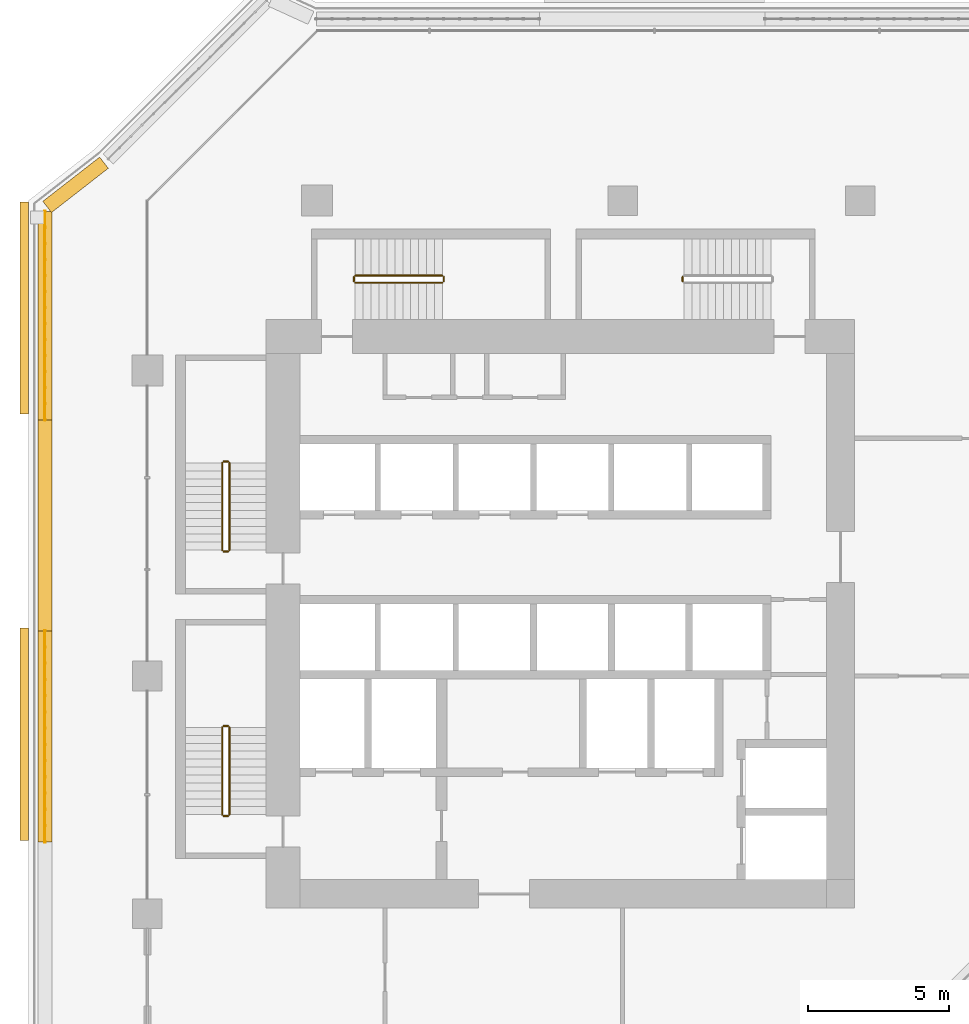
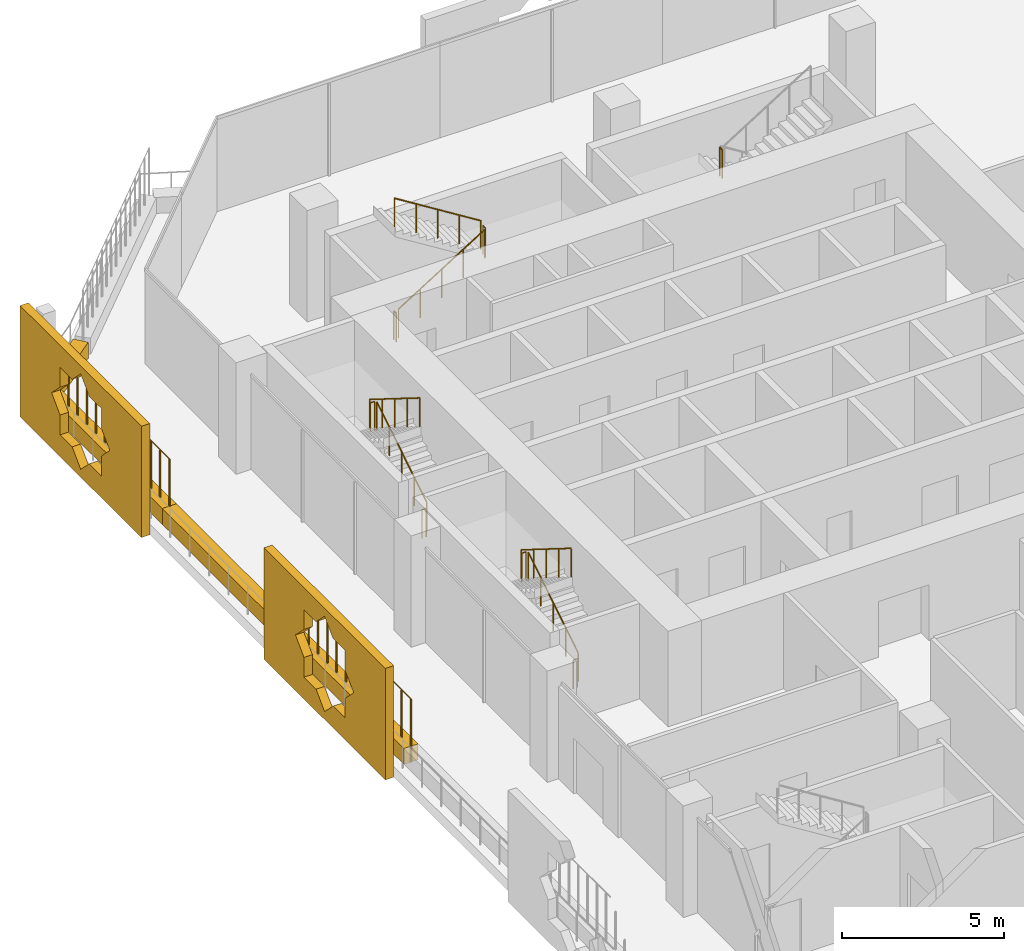
# One storey, part 21 of 26: 15 railings, 6 coverings.
"""IFC4 building model written with IfcOpenShell, lengths in metres."""

from ifc_helpers import new_model, si_unit, direction, frame, origin, origin_2d, place, context, subcontext, project, spatial, polyline, rectangle, circle, outline, extrude, material, material_profile, profile_set, type_object, element, save


model = new_model("IFC4")

# Units and contexts
model_context = context("Model", 3, precision=1e-05, world=origin(), true_north=direction((0.0, 1.0)))
body_context = subcontext(model_context, "Body", "Model", "MODEL_VIEW")
ifc_project = project(units=[si_unit("LENGTHUNIT", "METRE"), si_unit("AREAUNIT", "SQUARE_METRE"), si_unit("VOLUMEUNIT", "CUBIC_METRE"), si_unit("PLANEANGLEUNIT", "RADIAN"), si_unit("MASSUNIT", "GRAM", prefix="KILO")], contexts=[model_context])

# Site, building, storey
site_placement = place(None, origin())
site = spatial("IfcSite", under=ifc_project, at=site_placement, CompositionType="ELEMENT")
building_placement = place(site_placement, origin())
building = spatial("IfcBuilding", under=site, at=building_placement, Name="Kawkab Arch Medical Tower", CompositionType="ELEMENT")
storey_placement = place(building_placement, frame((0.0, 0.0, 119.800048828125)))
storey = spatial("IfcBuildingStorey", under=building, at=storey_placement, Name="L27", CompositionType="ELEMENT", Elevation=119.800048828125)

# Coverings
ifc_material_1 = material(Name="Bronze anodised aluminium mashrabiya panel, eight-point star pattern", Category="aluminium")
ifc_material_profile_1 = material_profile(ifc_material_1, outline(polyline([(-3.75, -2.10009765625), (3.75, -2.10009765625), (3.75, 2.10009765625), (-3.75, 2.10009765625), (-3.75, -2.10009765625)]), holes=[polyline([(1.800048828125, 0.0), (1.272705078125, 0.527099609375), (1.272705078125, 1.272705078125), (0.527099609375, 1.272705078125), (0.0, 1.800048828125), (-0.527099609375, 1.272705078125), (-1.272705078125, 1.272705078125), (-1.272705078125, 0.527099609375), (-1.800048828125, 0.0), (-1.272705078125, -0.527099609375), (-1.272705078125, -1.272705078125), (-0.527099609375, -1.272705078125), (0.0, -1.800048828125), (0.527099609375, -1.272705078125), (1.272705078125, -1.272705078125), (1.272705078125, -0.527099609375), (1.800048828125, 0.0)])]), Name="Mashrabiya panel 7500x4200")
ifc_profile_set_1 = profile_set([ifc_material_profile_1], Name="Bronze anodised aluminium mashrabiya panel, eight-point star pattern")
covering_type_1 = type_object("IfcCoveringType", Name="Mashrabiya panel 7500 x 4200", PredefinedType="USERDEFINED", material=ifc_profile_set_1)
for number, where, z_axis, x_axis, name in (
    (1, (-4.199951171875, -18.8583984375, 1.699951171875), (-1.0, 0.0, 0.0), (0.0, -1.0, 0.0), "Mashrabiya panel L27.LOG-01-01.4"),
    (2, (-4.199951171875, -3.795654296875, 1.699951171875), (-1.0, 0.0, 0.0), (0.0, -1.0, 0.0), "Mashrabiya panel L27.LOG-01-01.5"),
):
    element("IfcCovering", number, at=place(storey_placement, frame(where, z_axis=z_axis, x_axis=x_axis)), inside=storey, type_object=covering_type_1, Name=name, ObjectType="SCREEN", PredefinedType="USERDEFINED", context=body_context, shape_type="SweptSolid", body=[
        extrude(outline(polyline([(-3.75, -2.10009765625), (3.75, -2.10009765625), (3.75, 2.10009765625), (-3.75, 2.10009765625), (-3.75, -2.10009765625)]), holes=[polyline([(1.800048828125, 0.0), (1.272705078125, 0.527099609375), (1.272705078125, 1.272705078125), (0.527099609375, 1.272705078125), (0.0, 1.800048828125), (-0.527099609375, 1.272705078125), (-1.272705078125, 1.272705078125), (-1.272705078125, 0.527099609375), (-1.800048828125, 0.0), (-1.272705078125, -0.527099609375), (-1.272705078125, -1.272705078125), (-0.527099609375, -1.272705078125), (0.0, -1.800048828125), (0.527099609375, -1.272705078125), (1.272705078125, -1.272705078125), (1.272705078125, -0.527099609375), (1.800048828125, 0.0)])]), origin(), (0.0, 0.0, 1.0), 0.300048828125),
    ])
ifc_material_2 = material(Name="Planting soil in a precast trough", Category="concrete")
ifc_material_profile_2 = material_profile(ifc_material_2, rectangle(XDim=0.5, YDim=0.60009765625, at=origin_2d()), Name="Trough 500x600")
ifc_profile_set_2 = profile_set([ifc_material_profile_2], Name="Planting soil in a precast trough")
covering_type_2 = type_object("IfcCoveringType", Name="Planter trough 500 x 600", PredefinedType="USERDEFINED", material=ifc_profile_set_2)
for number, where, z_axis, x_axis, name in (
    (3, (-3.6201171875, -22.6689453125, 0.300048828125), (0.0, 1.0, 0.0), (-1.0, 0.0, 0.0), "Planter L27.LOG-01-01.11"),
    (4, (-3.6201171875, -15.20703125, 0.300048828125), (0.0, 1.0, 0.0), (-1.0, 0.0, 0.0), "Planter L27.LOG-01-01.12"),
):
    element("IfcCovering", number, at=place(storey_placement, frame(where, z_axis=z_axis, x_axis=x_axis)), inside=storey, type_object=covering_type_2, Name=name, ObjectType="PLANTER", PredefinedType="USERDEFINED", context=body_context, shape_type="SweptSolid", body=[
        extrude(rectangle(XDim=0.5, YDim=0.60009765625, at=origin_2d()), origin(), (0.0, 0.0, 1.0), 7.4619140625),
    ])
covering_1_placement = place(storey_placement, frame((-3.6201171875, -7.7451171875, 0.300048828125), z_axis=(0.0, 1.0, 0.0), x_axis=(-1.0, 0.0, 0.0)))
element("IfcCovering", 5, at=covering_1_placement, inside=storey, type_object=covering_type_2, Name="Planter L27.LOG-01-01.13", ObjectType="PLANTER", PredefinedType="USERDEFINED", context=body_context, shape_type="SweptSolid", body=[
    extrude(rectangle(XDim=0.5, YDim=0.60009765625, at=origin_2d()), origin(), (0.0, 0.0, 1.0), 7.361083984375),
])
covering_2_placement = place(storey_placement, frame((-3.541015625, -0.221923828125, 0.300048828125), z_axis=(0.789274742246, 0.61404021143, 0.0), x_axis=(-0.61404021143, 0.789274742246, 0.0)))
element("IfcCovering", 6, at=covering_2_placement, inside=storey, type_object=covering_type_2, Name="Planter L27.LOG-01-01.14", ObjectType="PLANTER", PredefinedType="USERDEFINED", context=body_context, shape_type="SweptSolid", body=[
    extrude(rectangle(XDim=0.5, YDim=0.60009765625, at=origin_2d()), origin(), (0.0, 0.0, 1.0), 2.54541015625),
])

# Railings
ifc_material_3 = material(Name="Bronze anodised aluminium trellis for climbing plants", Category="aluminium")
railing_type_1 = type_object("IfcRailingType", Name="Planting trellis 2400", PredefinedType="USERDEFINED", material=ifc_material_3)
railing_1_placement = place(storey_placement, frame((-3.6201171875, -22.6689453125, 0.0)))
element("IfcRailing", 7, at=railing_1_placement, inside=storey, type_object=railing_type_1, Name="Planting trellis L27.LOG-01-01.11", ObjectType="TRELLIS", PredefinedType="USERDEFINED", context=body_context, shape_type="SweptSolid", body=[
    extrude(circle(Radius=0.01513671875, at=origin_2d()), frame((0.0, 0.0, 2.384765625), z_axis=(0.0, 1.0, 0.0), x_axis=(-1.0, 0.0, 0.0)), (0.0, 0.0, 1.0), 7.4619140625),
    extrude(circle(Radius=0.030029296875, at=origin_2d()), origin(), (0.0, 0.0, 1.0), 2.369873046875),
    extrude(circle(Radius=0.030029296875, at=origin_2d()), frame((0.0, 0.573974609375, 0.0)), (0.0, 0.0, 1.0), 2.369873046875),
    extrude(circle(Radius=0.030029296875, at=origin_2d()), frame((0.0, 1.14794921875, 0.0)), (0.0, 0.0, 1.0), 2.369873046875),
    extrude(circle(Radius=0.030029296875, at=origin_2d()), frame((0.0, 1.721923828125, 0.0)), (0.0, 0.0, 1.0), 2.369873046875),
    extrude(circle(Radius=0.030029296875, at=origin_2d()), frame((0.0, 2.2958984375, 0.0)), (0.0, 0.0, 1.0), 2.369873046875),
    extrude(circle(Radius=0.030029296875, at=origin_2d()), frame((0.0, 2.869873046875, 0.0)), (0.0, 0.0, 1.0), 2.369873046875),
    extrude(circle(Radius=0.030029296875, at=origin_2d()), frame((0.0, 3.44384765625, 0.0)), (0.0, 0.0, 1.0), 2.369873046875),
    extrude(circle(Radius=0.030029296875, at=origin_2d()), frame((0.0, 4.01806640625, 0.0)), (0.0, 0.0, 1.0), 2.369873046875),
    extrude(circle(Radius=0.030029296875, at=origin_2d()), frame((0.0, 4.592041015625, 0.0)), (0.0, 0.0, 1.0), 2.369873046875),
    extrude(circle(Radius=0.030029296875, at=origin_2d()), frame((0.0, 5.166015625, 0.0)), (0.0, 0.0, 1.0), 2.369873046875),
    extrude(circle(Radius=0.030029296875, at=origin_2d()), frame((0.0, 5.739990234375, 0.0)), (0.0, 0.0, 1.0), 2.369873046875),
    extrude(circle(Radius=0.030029296875, at=origin_2d()), frame((0.0, 6.31396484375, 0.0)), (0.0, 0.0, 1.0), 2.369873046875),
    extrude(circle(Radius=0.030029296875, at=origin_2d()), frame((0.0, 6.887939453125, 0.0)), (0.0, 0.0, 1.0), 2.369873046875),
    extrude(circle(Radius=0.030029296875, at=origin_2d()), frame((0.0, 7.4619140625, 0.0)), (0.0, 0.0, 1.0), 2.369873046875),
])
railing_2_placement = place(storey_placement, frame((-3.6201171875, -7.7451171875, 0.0)))
element("IfcRailing", 8, at=railing_2_placement, inside=storey, type_object=railing_type_1, Name="Planting trellis L27.LOG-01-01.13", ObjectType="TRELLIS", PredefinedType="USERDEFINED", context=body_context, shape_type="SweptSolid", body=[
    extrude(circle(Radius=0.01513671875, at=origin_2d()), frame((0.0, 0.0, 2.384765625), z_axis=(0.0, 1.0, 0.0), x_axis=(-1.0, 0.0, 0.0)), (0.0, 0.0, 1.0), 7.361083984375),
    extrude(circle(Radius=0.030029296875, at=origin_2d()), origin(), (0.0, 0.0, 1.0), 2.369873046875),
    extrude(circle(Radius=0.030029296875, at=origin_2d()), frame((0.0, 0.566162109375, 0.0)), (0.0, 0.0, 1.0), 2.369873046875),
    extrude(circle(Radius=0.030029296875, at=origin_2d()), frame((0.0, 1.132568359375, 0.0)), (0.0, 0.0, 1.0), 2.369873046875),
    extrude(circle(Radius=0.030029296875, at=origin_2d()), frame((0.0, 1.69873046875, 0.0)), (0.0, 0.0, 1.0), 2.369873046875),
    extrude(circle(Radius=0.030029296875, at=origin_2d()), frame((0.0, 2.264892578125, 0.0)), (0.0, 0.0, 1.0), 2.369873046875),
    extrude(circle(Radius=0.030029296875, at=origin_2d()), frame((0.0, 2.831298828125, 0.0)), (0.0, 0.0, 1.0), 2.369873046875),
    extrude(circle(Radius=0.030029296875, at=origin_2d()), frame((0.0, 3.3974609375, 0.0)), (0.0, 0.0, 1.0), 2.369873046875),
    extrude(circle(Radius=0.030029296875, at=origin_2d()), frame((0.0, 3.963623046875, 0.0)), (0.0, 0.0, 1.0), 2.369873046875),
    extrude(circle(Radius=0.030029296875, at=origin_2d()), frame((0.0, 4.52978515625, 0.0)), (0.0, 0.0, 1.0), 2.369873046875),
    extrude(circle(Radius=0.030029296875, at=origin_2d()), frame((0.0, 5.09619140625, 0.0)), (0.0, 0.0, 1.0), 2.369873046875),
    extrude(circle(Radius=0.030029296875, at=origin_2d()), frame((0.0, 5.662353515625, 0.0)), (0.0, 0.0, 1.0), 2.369873046875),
    extrude(circle(Radius=0.030029296875, at=origin_2d()), frame((0.0, 6.228515625, 0.0)), (0.0, 0.0, 1.0), 2.369873046875),
    extrude(circle(Radius=0.030029296875, at=origin_2d()), frame((0.0, 6.794921875, 0.0)), (0.0, 0.0, 1.0), 2.369873046875),
    extrude(circle(Radius=0.030029296875, at=origin_2d()), frame((0.0, 7.361083984375, 0.0)), (0.0, 0.0, 1.0), 2.369873046875),
])
ifc_material_4 = material(Name="Stainless steel", Category="steel")
railing_type_2 = type_object("IfcRailingType", Name="Stair guard 1100", PredefinedType="GUARDRAIL", material=ifc_material_4)
railing_3_placement = place(storey_placement, frame((2.89990234375, -12.35009765625, 0.175048828125)))
element("IfcRailing", 9, at=railing_3_placement, inside=storey, type_object=railing_type_2, Name="L27 ST1 stair guard 1", PredefinedType="GUARDRAIL", context=body_context, shape_type="SweptSolid", body=[
    extrude(circle(Radius=0.02392578125, at=origin_2d()), frame((0.0, 0.0, 1.076171875), z_axis=(0.0, 0.848028513186, 0.529950602248), x_axis=(-1.0, 0.0, 0.0)), (0.0, 0.0, 1.0), 3.632080078125),
    extrude(circle(Radius=0.02099609375, at=origin_2d()), origin(), (0.0, 0.0, 1.0), 1.052001953125),
    extrude(circle(Radius=0.02099609375, at=origin_2d()), frame((0.0, 0.77001953125, 0.481201171875)), (0.0, 0.0, 1.0), 1.052001953125),
    extrude(circle(Radius=0.02099609375, at=origin_2d()), frame((0.0, 1.5400390625, 0.96240234375)), (0.0, 0.0, 1.0), 1.052001953125),
    extrude(circle(Radius=0.02099609375, at=origin_2d()), frame((0.0, 2.31005859375, 1.443603515625)), (0.0, 0.0, 1.0), 1.052001953125),
    extrude(circle(Radius=0.02099609375, at=origin_2d()), frame((0.0, 3.080078125, 1.9248046875)), (0.0, 0.0, 1.0), 1.052001953125),
])
railing_4_placement = place(storey_placement, frame((2.85009765625, -9.219970703125, 2.099853515625)))
element("IfcRailing", 10, at=railing_4_placement, inside=storey, type_object=railing_type_2, Name="L27 ST1 stair guard 2", PredefinedType="GUARDRAIL", context=body_context, shape_type="SweptSolid", body=[
    extrude(circle(Radius=0.02392578125, at=origin_2d()), frame((0.0, 0.0, 1.076171875), z_axis=(-1.0, 0.0, 0.0), x_axis=(0.0, -1.0, 0.0)), (0.0, 0.0, 1.0), 0.150146484375),
    extrude(circle(Radius=0.02099609375, at=origin_2d()), origin(), (0.0, 0.0, 1.0), 1.052001953125),
    extrude(circle(Radius=0.02099609375, at=origin_2d()), frame((-0.150146484375, 0.0, 0.0)), (0.0, 0.0, 1.0), 1.052001953125),
])
railing_5_placement = place(storey_placement, frame((2.64990234375, -9.27001953125, 2.27490234375)))
element("IfcRailing", 11, at=railing_5_placement, inside=storey, type_object=railing_type_2, Name="L27 ST1 stair guard 3", PredefinedType="GUARDRAIL", context=body_context, shape_type="SweptSolid", body=[
    extrude(circle(Radius=0.02392578125, at=origin_2d()), frame((0.0, 0.0, 1.076171875), z_axis=(0.0, -0.847998304005, 0.529998940003), x_axis=(1.0, 0.0, 0.0)), (0.0, 0.0, 1.0), 3.632080078125),
    extrude(circle(Radius=0.02099609375, at=origin_2d()), origin(), (0.0, 0.0, 1.0), 1.052001953125),
    extrude(circle(Radius=0.02099609375, at=origin_2d()), frame((0.0, -0.77001953125, 0.481201171875)), (0.0, 0.0, 1.0), 1.052001953125),
    extrude(circle(Radius=0.02099609375, at=origin_2d()), frame((0.0, -1.5400390625, 0.96240234375)), (0.0, 0.0, 1.0), 1.052001953125),
    extrude(circle(Radius=0.02099609375, at=origin_2d()), frame((0.0, -2.31005859375, 1.44384765625)), (0.0, 0.0, 1.0), 1.052001953125),
    extrude(circle(Radius=0.02099609375, at=origin_2d()), frame((0.0, -3.080078125, 1.925048828125)), (0.0, 0.0, 1.0), 1.052001953125),
])
railing_6_placement = place(storey_placement, frame((2.85009765625, -12.39990234375, 0.0)))
element("IfcRailing", 12, at=railing_6_placement, inside=storey, type_object=railing_type_2, Name="L27 ST1 stair guard 4", PredefinedType="GUARDRAIL", context=body_context, shape_type="SweptSolid", body=[
    extrude(circle(Radius=0.02392578125, at=origin_2d()), frame((0.0, 0.0, 1.076171875), z_axis=(-1.0, 0.0, 0.0), x_axis=(0.0, -1.0, 0.0)), (0.0, 0.0, 1.0), 0.150146484375),
    extrude(circle(Radius=0.02099609375, at=origin_2d()), origin(), (0.0, 0.0, 1.0), 1.052001953125),
    extrude(circle(Radius=0.02099609375, at=origin_2d()), frame((-0.150146484375, 0.0, 0.0)), (0.0, 0.0, 1.0), 1.052001953125),
])
railing_7_placement = place(storey_placement, frame((2.89990234375, -21.699951171875, 0.175048828125)))
element("IfcRailing", 13, at=railing_7_placement, inside=storey, type_object=railing_type_2, Name="L27 ST2 stair guard 1", PredefinedType="GUARDRAIL", context=body_context, shape_type="SweptSolid", body=[
    extrude(circle(Radius=0.02392578125, at=origin_2d()), frame((0.0, 0.0, 1.076171875), z_axis=(0.0, 0.848009633417, 0.529980812513), x_axis=(-1.0, 0.0, 0.0)), (0.0, 0.0, 1.0), 3.6318359375),
    extrude(circle(Radius=0.02099609375, at=origin_2d()), origin(), (0.0, 0.0, 1.0), 1.052001953125),
    extrude(circle(Radius=0.02099609375, at=origin_2d()), frame((0.0, 0.77001953125, 0.481201171875)), (0.0, 0.0, 1.0), 1.052001953125),
    extrude(circle(Radius=0.02099609375, at=origin_2d()), frame((0.0, 1.5400390625, 0.96240234375)), (0.0, 0.0, 1.0), 1.052001953125),
    extrude(circle(Radius=0.02099609375, at=origin_2d()), frame((0.0, 2.309814453125, 1.443603515625)), (0.0, 0.0, 1.0), 1.052001953125),
    extrude(circle(Radius=0.02099609375, at=origin_2d()), frame((0.0, 3.079833984375, 1.9248046875)), (0.0, 0.0, 1.0), 1.052001953125),
])
railing_8_placement = place(storey_placement, frame((2.85009765625, -18.570068359375, 2.099853515625)))
element("IfcRailing", 14, at=railing_8_placement, inside=storey, type_object=railing_type_2, Name="L27 ST2 stair guard 2", PredefinedType="GUARDRAIL", context=body_context, shape_type="SweptSolid", body=[
    extrude(circle(Radius=0.02392578125, at=origin_2d()), frame((0.0, 0.0, 1.076171875), z_axis=(-1.0, 0.0, 0.0), x_axis=(0.0, -1.0, 0.0)), (0.0, 0.0, 1.0), 0.150146484375),
    extrude(circle(Radius=0.02099609375, at=origin_2d()), origin(), (0.0, 0.0, 1.0), 1.052001953125),
    extrude(circle(Radius=0.02099609375, at=origin_2d()), frame((-0.150146484375, 0.0, 0.0)), (0.0, 0.0, 1.0), 1.052001953125),
])
railing_9_placement = place(storey_placement, frame((2.64990234375, -18.6201171875, 2.27490234375)))
element("IfcRailing", 15, at=railing_9_placement, inside=storey, type_object=railing_type_2, Name="L27 ST2 stair guard 3", PredefinedType="GUARDRAIL", context=body_context, shape_type="SweptSolid", body=[
    extrude(circle(Radius=0.02392578125, at=origin_2d()), frame((0.0, 0.0, 1.076171875), z_axis=(0.0, -0.847979421464, 0.530029150871), x_axis=(1.0, 0.0, 0.0)), (0.0, 0.0, 1.0), 3.632080078125),
    extrude(circle(Radius=0.02099609375, at=origin_2d()), origin(), (0.0, 0.0, 1.0), 1.052001953125),
    extrude(circle(Radius=0.02099609375, at=origin_2d()), frame((0.0, -0.77001953125, 0.481201171875)), (0.0, 0.0, 1.0), 1.052001953125),
    extrude(circle(Radius=0.02099609375, at=origin_2d()), frame((0.0, -1.5400390625, 0.96240234375)), (0.0, 0.0, 1.0), 1.052001953125),
    extrude(circle(Radius=0.02099609375, at=origin_2d()), frame((0.0, -2.309814453125, 1.44384765625)), (0.0, 0.0, 1.0), 1.052001953125),
    extrude(circle(Radius=0.02099609375, at=origin_2d()), frame((0.0, -3.079833984375, 1.925048828125)), (0.0, 0.0, 1.0), 1.052001953125),
])
railing_10_placement = place(storey_placement, frame((2.85009765625, -21.75, 0.0)))
element("IfcRailing", 16, at=railing_10_placement, inside=storey, type_object=railing_type_2, Name="L27 ST2 stair guard 4", PredefinedType="GUARDRAIL", context=body_context, shape_type="SweptSolid", body=[
    extrude(circle(Radius=0.02392578125, at=origin_2d()), frame((0.0, 0.0, 1.076171875), z_axis=(-1.0, 0.0, 0.0), x_axis=(0.0, -1.0, 0.0)), (0.0, 0.0, 1.0), 0.150146484375),
    extrude(circle(Radius=0.02099609375, at=origin_2d()), origin(), (0.0, 0.0, 1.0), 1.052001953125),
    extrude(circle(Radius=0.02099609375, at=origin_2d()), frame((-0.150146484375, 0.0, 0.0)), (0.0, 0.0, 1.0), 1.052001953125),
])
railing_11_placement = place(storey_placement, frame((7.35009765625, -2.89990234375, 0.175048828125)))
element("IfcRailing", 17, at=railing_11_placement, inside=storey, type_object=railing_type_2, Name="L27 ST3 stair guard 1", PredefinedType="GUARDRAIL", context=body_context, shape_type="SweptSolid", body=[
    extrude(circle(Radius=0.02392578125, at=origin_2d()), frame((0.0, 0.0, 1.076171875), z_axis=(0.848009633417, 0.0, 0.529980812513), x_axis=(0.0, 1.0, 0.0)), (0.0, 0.0, 1.0), 3.6318359375),
    extrude(circle(Radius=0.02099609375, at=origin_2d()), origin(), (0.0, 0.0, 1.0), 1.052001953125),
    extrude(circle(Radius=0.02099609375, at=origin_2d()), frame((0.77001953125, 0.0, 0.481201171875)), (0.0, 0.0, 1.0), 1.052001953125),
    extrude(circle(Radius=0.02099609375, at=origin_2d()), frame((1.5400390625, 0.0, 0.96240234375)), (0.0, 0.0, 1.0), 1.052001953125),
    extrude(circle(Radius=0.02099609375, at=origin_2d()), frame((2.309814453125, 0.0, 1.443603515625)), (0.0, 0.0, 1.0), 1.052001953125),
    extrude(circle(Radius=0.02099609375, at=origin_2d()), frame((3.079833984375, 0.0, 1.9248046875)), (0.0, 0.0, 1.0), 1.052001953125),
])
railing_12_placement = place(storey_placement, frame((10.47998046875, -2.85009765625, 2.099853515625)))
element("IfcRailing", 18, at=railing_12_placement, inside=storey, type_object=railing_type_2, Name="L27 ST3 stair guard 2", PredefinedType="GUARDRAIL", context=body_context, shape_type="SweptSolid", body=[
    extrude(circle(Radius=0.02392578125, at=origin_2d()), frame((0.0, 0.0, 1.076171875), z_axis=(0.0, 1.0, 0.0), x_axis=(-1.0, 0.0, 0.0)), (0.0, 0.0, 1.0), 0.150146484375),
    extrude(circle(Radius=0.02099609375, at=origin_2d()), origin(), (0.0, 0.0, 1.0), 1.052001953125),
    extrude(circle(Radius=0.02099609375, at=origin_2d()), frame((0.0, 0.150146484375, 0.0)), (0.0, 0.0, 1.0), 1.052001953125),
])
railing_13_placement = place(storey_placement, frame((10.429931640625, -2.64990234375, 2.27490234375)))
element("IfcRailing", 19, at=railing_13_placement, inside=storey, type_object=railing_type_2, Name="L27 ST3 stair guard 3", PredefinedType="GUARDRAIL", context=body_context, shape_type="SweptSolid", body=[
    extrude(circle(Radius=0.02392578125, at=origin_2d()), frame((0.0, 0.0, 1.076171875), z_axis=(-0.847979421464, 0.0, 0.530029150871), x_axis=(0.0, -1.0, 0.0)), (0.0, 0.0, 1.0), 3.632080078125),
    extrude(circle(Radius=0.02099609375, at=origin_2d()), origin(), (0.0, 0.0, 1.0), 1.052001953125),
    extrude(circle(Radius=0.02099609375, at=origin_2d()), frame((-0.77001953125, 0.0, 0.481201171875)), (0.0, 0.0, 1.0), 1.052001953125),
    extrude(circle(Radius=0.02099609375, at=origin_2d()), frame((-1.5400390625, 0.0, 0.96240234375)), (0.0, 0.0, 1.0), 1.052001953125),
    extrude(circle(Radius=0.02099609375, at=origin_2d()), frame((-2.309814453125, 0.0, 1.44384765625)), (0.0, 0.0, 1.0), 1.052001953125),
    extrude(circle(Radius=0.02099609375, at=origin_2d()), frame((-3.079833984375, 0.0, 1.925048828125)), (0.0, 0.0, 1.0), 1.052001953125),
])
railing_14_placement = place(storey_placement, frame((7.300048828125, -2.85009765625, 0.0)))
element("IfcRailing", 20, at=railing_14_placement, inside=storey, type_object=railing_type_2, Name="L27 ST3 stair guard 4", PredefinedType="GUARDRAIL", context=body_context, shape_type="SweptSolid", body=[
    extrude(circle(Radius=0.02392578125, at=origin_2d()), frame((0.0, 0.0, 1.076171875), z_axis=(0.0, 1.0, 0.0), x_axis=(-1.0, 0.0, 0.0)), (0.0, 0.0, 1.0), 0.150146484375),
    extrude(circle(Radius=0.02099609375, at=origin_2d()), origin(), (0.0, 0.0, 1.0), 1.052001953125),
    extrude(circle(Radius=0.02099609375, at=origin_2d()), frame((0.0, 0.150146484375, 0.0)), (0.0, 0.0, 1.0), 1.052001953125),
])
railing_15_placement = place(storey_placement, frame((18.919921875, -2.699951171875, 2.099853515625)))
element("IfcRailing", 21, at=railing_15_placement, inside=storey, type_object=railing_type_2, Name="L27 ST4 stair guard 2", PredefinedType="GUARDRAIL", context=body_context, shape_type="SweptSolid", body=[
    extrude(circle(Radius=0.02392578125, at=origin_2d()), frame((0.0, 0.0, 1.076171875), z_axis=(0.0, -1.0, 0.0), x_axis=(1.0, 0.0, 0.0)), (0.0, 0.0, 1.0), 0.150146484375),
    extrude(circle(Radius=0.02099609375, at=origin_2d()), origin(), (0.0, 0.0, 1.0), 1.052001953125),
    extrude(circle(Radius=0.02099609375, at=origin_2d()), frame((0.0, -0.150146484375, 0.0)), (0.0, 0.0, 1.0), 1.052001953125),
])

save(model, "model.ifc")
